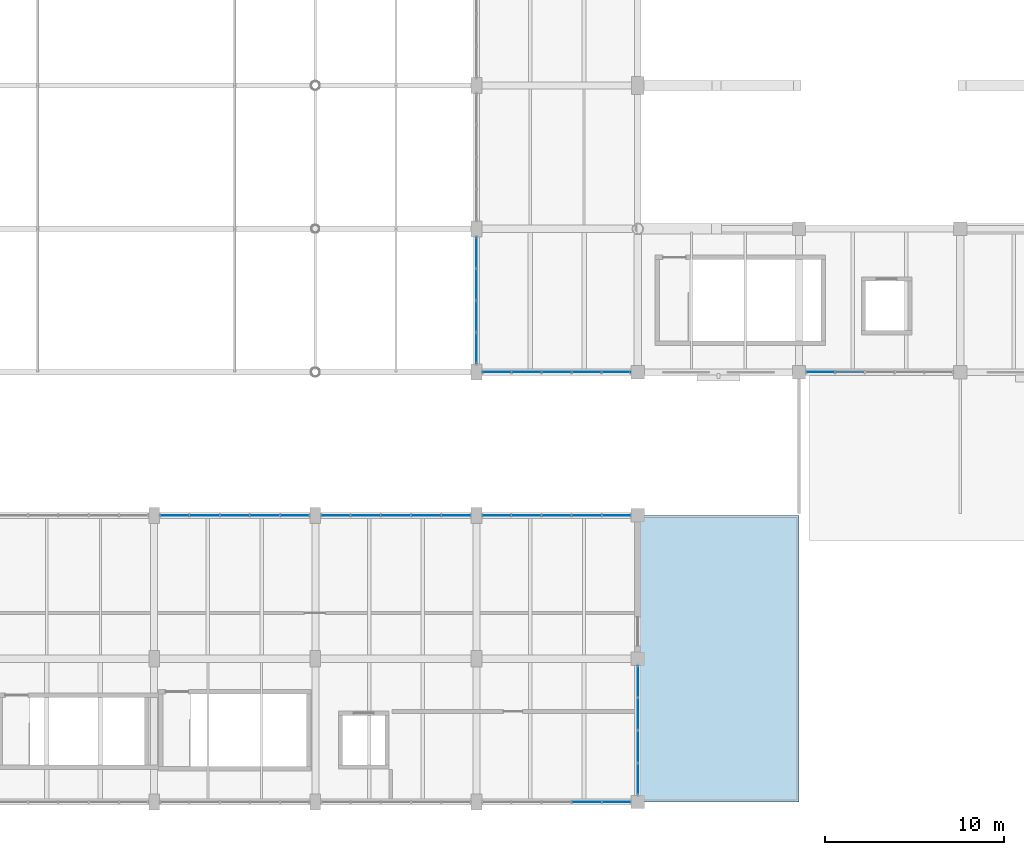
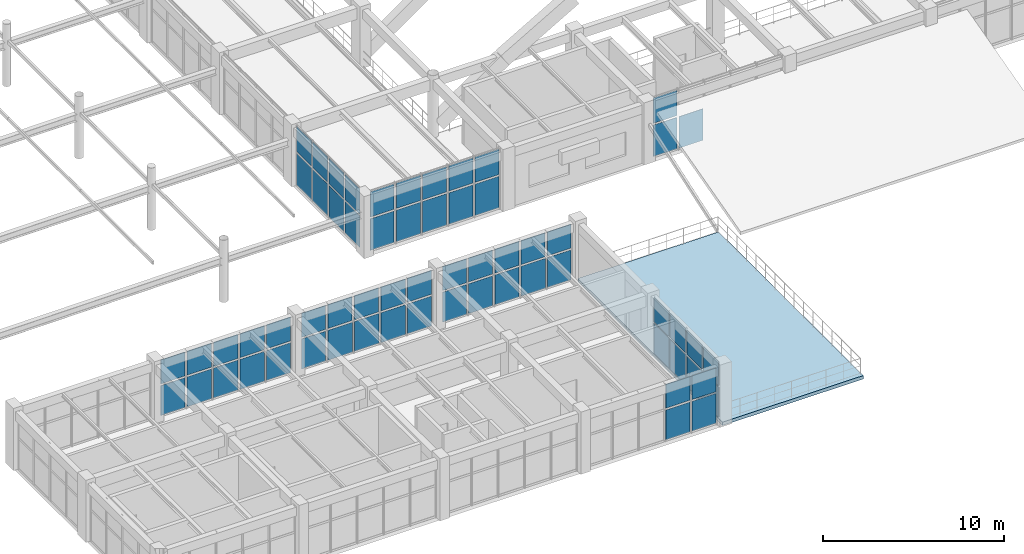
# One storey, part 115 of 148: 63 plates, 1 slab, 8 elements without a shape of their own.
"""IFC4 building model written with IfcOpenShell, lengths in metres."""

import ifcopenshell
import ifcopenshell.guid

model = None  # the IFC model being written
_history = None  # IfcOwnerHistory: only IFC2X3 demands one
_inside = {}  # id of a spatial element -> (the spatial element, [elements in it])
_under = {}  # id of a project, library or spatial element -> (it, [spatial elements below it])
_declared = {}  # id of a project -> (the project, [libraries it declares])
_typed = {}  # id of a type object -> (the type object, [elements of that type])
_made_of = {}  # id of a material, layer set ... -> (it, [elements and type objects made of it])


def new_model(schema):
    """Start an empty IFC model of exactly this schema.

    Asked for "IFC4X3", IfcOpenShell would pick the latest addendum, in which some entities
    have other attributes; the version numbers below select the first issue.
    IFC2X3 requires an IfcOwnerHistory on every rooted entity: one is made here for all.
    """
    global model, _history
    if schema == "IFC4X3":
        model = ifcopenshell.file(schema_version=(4, 3, 0, 0))
    else:
        model = ifcopenshell.file(schema=schema)
    _inside.clear()
    _under.clear()
    _declared.clear()
    _typed.clear()
    _made_of.clear()
    _history = None
    if model.schema == "IFC2X3":
        org = make("IfcOrganization", Name="unknown")
        user = make(
            "IfcPersonAndOrganization",
            ThePerson=make("IfcPerson", FamilyName="unknown"),
            TheOrganization=org,
        )
        app = make(
            "IfcApplication",
            ApplicationDeveloper=org,
            Version="unknown",
            ApplicationFullName="unknown",
            ApplicationIdentifier="unknown",
        )
        _history = make(
            "IfcOwnerHistory",
            OwningUser=user,
            OwningApplication=app,
            ChangeAction="ADDED",
            CreationDate=0,
        )
    return model


def make(cls, **values):
    """One entity of the class cls with the attributes given. An attribute that is None is left unset."""
    return model.create_entity(
        cls, **{name: value for name, value in values.items() if value is not None}
    )


def rooted(cls, **values):
    """An entity with a GlobalId (a new one), such as an element, a storey or a relation."""
    return make(cls, GlobalId=ifcopenshell.guid.new(), OwnerHistory=_history, **values)


def si_unit(unit_type, name, prefix=None):
    """IfcSIUnit, for example si_unit("LENGTHUNIT", "METRE", prefix="MILLI")."""
    return make("IfcSIUnit", UnitType=unit_type, Prefix=prefix, Name=name)


def derived_unit(unit_type, elements):
    """IfcDerivedUnit: a product of units, each with its exponent."""
    return make(
        "IfcDerivedUnit",
        Elements=[
            make("IfcDerivedUnitElement", Unit=unit, Exponent=power)
            for unit, power in elements
        ],
        UnitType=unit_type,
    )


def assignment(units):
    """IfcUnitAssignment: the units of a project."""
    return None if units is None else make("IfcUnitAssignment", Units=units)


def point(xyz):
    """IfcCartesianPoint."""
    return None if xyz is None else make("IfcCartesianPoint", Coordinates=xyz)


def direction(xyz):
    """IfcDirection."""
    return None if xyz is None else make("IfcDirection", DirectionRatios=xyz)


def frame(location, z_axis=None, x_axis=None):
    """IfcAxis2Placement3D, a coordinate frame: its origin and axes. An axis left out is left unset."""
    return make(
        "IfcAxis2Placement3D",
        Location=point(location),
        Axis=direction(z_axis),
        RefDirection=direction(x_axis),
    )


def frame_2d(location, x_axis=None):
    """IfcAxis2Placement2D, a coordinate frame in the plane: its origin and x axis."""
    return make(
        "IfcAxis2Placement2D", Location=point(location), RefDirection=direction(x_axis)
    )


def origin():
    """The frame at (0, 0, 0) with its axes left unset."""
    return frame((0.0, 0.0, 0.0))


def origin_2d():
    """The frame at (0, 0) in the plane with its x axis left unset."""
    return frame_2d((0.0, 0.0))


def place(relative_to, where):
    """IfcLocalPlacement: puts the frame where relative to a parent placement (None: the world)."""
    return make(
        "IfcLocalPlacement", PlacementRelTo=relative_to, RelativePlacement=where
    )


def context(
    kind, dimensions, precision=None, world=None, true_north=None, identifier=None
):
    """IfcGeometricRepresentationContext, for example the 3D "Model" context."""
    return make(
        "IfcGeometricRepresentationContext",
        ContextIdentifier=identifier,
        ContextType=kind,
        CoordinateSpaceDimension=dimensions,
        Precision=precision,
        WorldCoordinateSystem=world,
        TrueNorth=true_north,
    )


def subcontext(parent, identifier, kind, view, scale=None):
    """IfcGeometricRepresentationSubContext, for example "Body" below "Model"."""
    return make(
        "IfcGeometricRepresentationSubContext",
        ContextIdentifier=identifier,
        ContextType=kind,
        ParentContext=parent,
        TargetScale=scale,
        TargetView=view,
    )


def project(units=None, contexts=None):
    """IfcProject with its units and contexts."""
    return rooted(
        "IfcProject",
        Name="project",
        RepresentationContexts=contexts,
        UnitsInContext=assignment(units),
    )


def spatial(cls, under=None, at=None, **own):
    """A site, building, storey or space (cls), placed at a placement, below another one or the project."""
    s = rooted(cls, ObjectPlacement=at, **own)
    if under is not None:
        _under.setdefault(under.id(), (under, []))[1].append(s)
    return s


def polyline(points):
    """IfcPolyline through the points."""
    return make("IfcPolyline", Points=[point(p) for p in points])


def profile(cls, at=None, kind="AREA", **sizes):
    """A parametric profile (cls). Its sizes go by their IFC names, for example OverallWidth=200.0."""
    return make(cls, ProfileType=kind, Position=at, **sizes)


def rectangle(**sizes):
    """IfcRectangleProfileDef."""
    return profile("IfcRectangleProfileDef", **sizes)


def outline(outer, holes=None, kind="AREA"):
    """IfcArbitraryClosedProfileDef: a profile drawn as a closed curve; with holes, ...WithVoids."""
    if holes is None:
        return make("IfcArbitraryClosedProfileDef", ProfileType=kind, OuterCurve=outer)
    return make(
        "IfcArbitraryProfileDefWithVoids",
        ProfileType=kind,
        OuterCurve=outer,
        InnerCurves=holes,
    )


def extrude(swept, where, along, depth):
    """IfcExtrudedAreaSolid: the profile swept, set in the frame where, extruded along a direction by depth."""
    return make(
        "IfcExtrudedAreaSolid",
        SweptArea=swept,
        Position=where,
        ExtrudedDirection=direction(along),
        Depth=depth,
    )


def shape(context_of_items, identifier, shape_type, items):
    """IfcShapeRepresentation: the items that make up one representation, for example the "Body"."""
    return make(
        "IfcShapeRepresentation",
        ContextOfItems=context_of_items,
        RepresentationIdentifier=identifier,
        RepresentationType=shape_type,
        Items=items,
    )


def material(Name=None, Category=None):
    """IfcMaterial."""
    return make("IfcMaterial", Name=Name, Category=Category)


def layer(
    of_material, thickness, ventilated=None, Name=None, Category=None, Priority=None
):
    """IfcMaterialLayer: one layer of a wall or slab, of a material (None: an air gap)."""
    return make(
        "IfcMaterialLayer",
        Material=of_material,
        LayerThickness=thickness,
        IsVentilated=ventilated,
        Name=Name,
        Category=Category,
        Priority=Priority,
    )


def layer_set(layers, Name=None):
    """IfcMaterialLayerSet."""
    return make("IfcMaterialLayerSet", MaterialLayers=layers, LayerSetName=Name)


def made_of(thing, what):
    """Note that an element or type object is made of a material, layer set ...; save() writes the relation."""
    if what is not None:
        _made_of.setdefault(what.id(), (what, []))[1].append(thing)
    return thing


def type_object(cls, material=None, **own):
    """A type object (cls), such as IfcWallType, which elements share."""
    return made_of(rooted(cls, **own), material)


def element(
    cls,
    number,
    at=None,
    inside=None,
    cuts=None,
    type_object=None,
    material=None,
    context=None,
    identifier="Body",
    shape_type=None,
    held_by="IfcProductDefinitionShape",
    body=None,
    shapes=None,
    **own,
):
    """One element of the class cls, such as IfcWall. Its Tag is "e" and its number.

    at: its placement. inside: the storey or other place that contains it. cuts: it is an
    opening in that element (IfcRelVoidsElement). A single representation is given by context,
    identifier, shape_type and body (its items); several are given by shapes. held_by: the class
    of the entity that holds the representations. save() writes the other relations.
    """
    e = rooted(cls, Tag="e%d" % number, ObjectPlacement=at, **own)
    if body is not None:
        shapes = [shape(context, identifier, shape_type, body)]
    if shapes is not None:
        e.Representation = make(held_by, Representations=shapes)
    if inside is not None:
        _inside.setdefault(inside.id(), (inside, []))[1].append(e)
    if cuts is not None:
        rooted(
            "IfcRelVoidsElement", RelatingBuildingElement=cuts, RelatedOpeningElement=e
        )
    if type_object is not None:
        _typed.setdefault(type_object.id(), (type_object, []))[1].append(e)
    return made_of(e, material)


def aggregate(whole, parts):
    """IfcRelAggregates: a whole, such as a stair, and the parts it consists of."""
    return rooted("IfcRelAggregates", RelatingObject=whole, RelatedObjects=parts)


def save(model, path):
    """Write the relations noted so far, then the file.

    IfcRelAggregates (storeys below a building ...), IfcRelContainedInSpatialStructure (elements
    in a storey), IfcRelDefinesByType, IfcRelAssociatesMaterial and IfcRelDeclares: one each for
    every whole, place, type object, material and project.
    """
    for whole, parts in _under.values():
        aggregate(whole, parts)
    for where, things in _inside.values():
        rooted(
            "IfcRelContainedInSpatialStructure",
            RelatedElements=things,
            RelatingStructure=where,
        )
    for kind, things in _typed.values():
        rooted("IfcRelDefinesByType", RelatedObjects=things, RelatingType=kind)
    for what, things in _made_of.values():
        rooted("IfcRelAssociatesMaterial", RelatedObjects=things, RelatingMaterial=what)
    for by, libraries in _declared.values():
        rooted("IfcRelDeclares", RelatingContext=by, RelatedDefinitions=libraries)
    model.write(path)


model = new_model("IFC4")

# Units and contexts
model_context = context("Model", 3, precision=1e-05, world=origin(), true_north=direction((0.0, 1.0)))
body_context = subcontext(model_context, "Body", "Model", "MODEL_VIEW")
ifc_project = project(units=[si_unit("LENGTHUNIT", "METRE"), si_unit("AREAUNIT", "SQUARE_METRE"), si_unit("VOLUMEUNIT", "CUBIC_METRE"), si_unit("PLANEANGLEUNIT", "RADIAN"), si_unit("MASSUNIT", "GRAM", prefix="KILO"), derived_unit("THERMALTRANSMITTANCEUNIT", [(si_unit("MASSUNIT", "GRAM", prefix="KILO"), 1), (si_unit("TIMEUNIT", "SECOND"), -3), (si_unit("THERMODYNAMICTEMPERATUREUNIT", "KELVIN"), -1)])], contexts=[model_context])

# Site, building, storey
site_placement = place(None, origin())
site = spatial("IfcSite", under=ifc_project, at=site_placement, CompositionType="ELEMENT")
building_placement = place(site_placement, origin())
building = spatial("IfcBuilding", under=site, at=building_placement, Name="Zhenchuan Archway Interchange", CompositionType="ELEMENT")
storey_placement = place(building_placement, frame((0.0, 0.0, 10.199951171875)))
storey = spatial("IfcBuildingStorey", under=building, at=storey_placement, Name="L02", CompositionType="ELEMENT", Elevation=10.199951171875)

# Curtain wall, plates
ifc_material_1 = material(Name="Anodised Aluminium", Category="aluminium")
curtain_wall_type_1 = type_object("IfcCurtainWallType", Name="CW_UNIT_2", PredefinedType="NOTDEFINED", material=ifc_material_1)
curtain_wall_1_placement = place(storey_placement, origin())
curtain_wall_1 = element("IfcCurtainWall", 1, at=curtain_wall_1_placement, inside=storey, type_object=curtain_wall_type_1, Name="Unitised curtain wall CW:L02:105", PredefinedType="NOTDEFINED")
ifc_material_2 = material(Name="Double Low-E Insulated Glazing", Category="glass")
ifc_layer_1 = layer(ifc_material_2, 0.028076171875)
ifc_layer_set_1 = layer_set([ifc_layer_1], Name="Double Low-E Insulated Glazing")
plate_type_1 = type_object("IfcPlateType", Name="CW_GLZ_1", PredefinedType="CURTAIN_PANEL", material=ifc_layer_set_1)
plate_1_placement = place(storey_placement, frame((34.80810546875, 0.0, 0.080078125), z_axis=(0.0, 0.0, 1.0), x_axis=(-1.0, 0.0, 0.0)))
plate_1 = element("IfcPlate", 2, at=plate_1_placement, type_object=plate_type_1, Name="CW:L02:105 lower glazing panel 0", PredefinedType="CURTAIN_PANEL", context=body_context, shape_type="SweptSolid", body=[
    extrude(rectangle(XDim=1.517822265625, YDim=0.028076171875, at=origin_2d()), origin(), (0.0, 0.0, 1.0), 2.01611328125),
])
plate_2_placement = place(storey_placement, frame((33.140380859375, 0.0, 0.080078125), z_axis=(0.0, 0.0, 1.0), x_axis=(-1.0, 0.0, 0.0)))
plate_2 = element("IfcPlate", 3, at=plate_2_placement, type_object=plate_type_1, Name="CW:L02:105 lower glazing panel 1", PredefinedType="CURTAIN_PANEL", context=body_context, shape_type="SweptSolid", body=[
    extrude(rectangle(XDim=1.537841796875, YDim=0.028076171875, at=origin_2d()), origin(), (0.0, 0.0, 1.0), 2.01611328125),
])

curtain_wall_type_2 = type_object("IfcCurtainWallType", Name="CW_UNIT_1", PredefinedType="NOTDEFINED", material=ifc_material_1)
curtain_wall_2_placement = place(storey_placement, origin())
curtain_wall_2 = element("IfcCurtainWall", 4, at=curtain_wall_2_placement, inside=storey, type_object=curtain_wall_type_2, Name="Unitised curtain wall CW:L02:112", PredefinedType="NOTDEFINED")
plate_3_placement = place(storey_placement, frame((10.12451171875, 16.0, 0.080078125), z_axis=(0.0, 0.0, 1.0), x_axis=(1.0, 0.0, 0.0)))
plate_3 = element("IfcPlate", 5, at=plate_3_placement, type_object=plate_type_1, Name="CW:L02:112 lower glazing panel 0", PredefinedType="CURTAIN_PANEL", context=body_context, shape_type="SweptSolid", body=[
    extrude(rectangle(XDim=1.53271484375, YDim=0.028076171875, at=origin_2d()), origin(), (0.0, 0.0, 1.0), 2.01611328125),
])
plate_4_placement = place(storey_placement, frame((11.80712890625, 16.0, 0.080078125), z_axis=(0.0, 0.0, 1.0), x_axis=(1.0, 0.0, 0.0)))
plate_4 = element("IfcPlate", 6, at=plate_4_placement, type_object=plate_type_1, Name="CW:L02:112 lower glazing panel 1", PredefinedType="CURTAIN_PANEL", context=body_context, shape_type="SweptSolid", body=[
    extrude(rectangle(XDim=1.552734375, YDim=0.028076171875, at=origin_2d()), origin(), (0.0, 0.0, 1.0), 2.01611328125),
])
plate_5_placement = place(storey_placement, frame((13.5, 16.0, 0.080078125), z_axis=(0.0, 0.0, 1.0), x_axis=(1.0, 0.0, 0.0)))
plate_5 = element("IfcPlate", 7, at=plate_5_placement, type_object=plate_type_1, Name="CW:L02:112 lower glazing panel 2", PredefinedType="CURTAIN_PANEL", context=body_context, shape_type="SweptSolid", body=[
    extrude(rectangle(XDim=1.552734375, YDim=0.028076171875, at=origin_2d()), origin(), (0.0, 0.0, 1.0), 2.01611328125),
])
plate_6_placement = place(storey_placement, frame((15.19287109375, 16.0, 0.080078125), z_axis=(0.0, 0.0, 1.0), x_axis=(1.0, 0.0, 0.0)))
plate_6 = element("IfcPlate", 8, at=plate_6_placement, type_object=plate_type_1, Name="CW:L02:112 lower glazing panel 3", PredefinedType="CURTAIN_PANEL", context=body_context, shape_type="SweptSolid", body=[
    extrude(rectangle(XDim=1.552734375, YDim=0.028076171875, at=origin_2d()), origin(), (0.0, 0.0, 1.0), 2.01611328125),
])
plate_7_placement = place(storey_placement, frame((16.87548828125, 16.0, 0.080078125), z_axis=(0.0, 0.0, 1.0), x_axis=(1.0, 0.0, 0.0)))
plate_7 = element("IfcPlate", 9, at=plate_7_placement, type_object=plate_type_1, Name="CW:L02:112 lower glazing panel 4", PredefinedType="CURTAIN_PANEL", context=body_context, shape_type="SweptSolid", body=[
    extrude(rectangle(XDim=1.53271484375, YDim=0.028076171875, at=origin_2d()), origin(), (0.0, 0.0, 1.0), 2.01611328125),
])

curtain_wall_3_placement = place(storey_placement, origin())
curtain_wall_3 = element("IfcCurtainWall", 10, at=curtain_wall_3_placement, inside=storey, type_object=curtain_wall_type_1, Name="Unitised curtain wall CW:L02:113", PredefinedType="NOTDEFINED")
plate_8_placement = place(storey_placement, frame((19.12451171875, 16.0, 0.080078125), z_axis=(0.0, 0.0, 1.0), x_axis=(1.0, 0.0, 0.0)))
plate_8 = element("IfcPlate", 11, at=plate_8_placement, type_object=plate_type_1, Name="CW:L02:113 lower glazing panel 0", PredefinedType="CURTAIN_PANEL", context=body_context, shape_type="SweptSolid", body=[
    extrude(rectangle(XDim=1.53271484375, YDim=0.028076171875, at=origin_2d()), origin(), (0.0, 0.0, 1.0), 2.01611328125),
])
plate_9_placement = place(storey_placement, frame((20.80712890625, 16.0, 0.080078125), z_axis=(0.0, 0.0, 1.0), x_axis=(1.0, 0.0, 0.0)))
plate_9 = element("IfcPlate", 12, at=plate_9_placement, type_object=plate_type_1, Name="CW:L02:113 lower glazing panel 1", PredefinedType="CURTAIN_PANEL", context=body_context, shape_type="SweptSolid", body=[
    extrude(rectangle(XDim=1.552734375, YDim=0.028076171875, at=origin_2d()), origin(), (0.0, 0.0, 1.0), 2.01611328125),
])
plate_10_placement = place(storey_placement, frame((22.5, 16.0, 0.080078125), z_axis=(0.0, 0.0, 1.0), x_axis=(1.0, 0.0, 0.0)))
plate_10 = element("IfcPlate", 13, at=plate_10_placement, type_object=plate_type_1, Name="CW:L02:113 lower glazing panel 2", PredefinedType="CURTAIN_PANEL", context=body_context, shape_type="SweptSolid", body=[
    extrude(rectangle(XDim=1.552734375, YDim=0.028076171875, at=origin_2d()), origin(), (0.0, 0.0, 1.0), 2.01611328125),
])
plate_11_placement = place(storey_placement, frame((24.19287109375, 16.0, 0.080078125), z_axis=(0.0, 0.0, 1.0), x_axis=(1.0, 0.0, 0.0)))
plate_11 = element("IfcPlate", 14, at=plate_11_placement, type_object=plate_type_1, Name="CW:L02:113 lower glazing panel 3", PredefinedType="CURTAIN_PANEL", context=body_context, shape_type="SweptSolid", body=[
    extrude(rectangle(XDim=1.552734375, YDim=0.028076171875, at=origin_2d()), origin(), (0.0, 0.0, 1.0), 2.01611328125),
])
plate_12_placement = place(storey_placement, frame((25.87548828125, 16.0, 0.080078125), z_axis=(0.0, 0.0, 1.0), x_axis=(1.0, 0.0, 0.0)))
plate_12 = element("IfcPlate", 15, at=plate_12_placement, type_object=plate_type_1, Name="CW:L02:113 lower glazing panel 4", PredefinedType="CURTAIN_PANEL", context=body_context, shape_type="SweptSolid", body=[
    extrude(rectangle(XDim=1.53271484375, YDim=0.028076171875, at=origin_2d()), origin(), (0.0, 0.0, 1.0), 2.01611328125),
])

curtain_wall_type_3 = type_object("IfcCurtainWallType", Name="CW_UNIT_3", PredefinedType="NOTDEFINED", material=ifc_material_1)
curtain_wall_4_placement = place(storey_placement, origin())
curtain_wall_4 = element("IfcCurtainWall", 16, at=curtain_wall_4_placement, inside=storey, type_object=curtain_wall_type_3, Name="Unitised curtain wall CW:L02:114", PredefinedType="NOTDEFINED")
plate_13_placement = place(storey_placement, frame((28.116943359375, 16.0, 0.080078125), z_axis=(0.0, 0.0, 1.0), x_axis=(1.0, 0.0, 0.0)))
plate_13 = element("IfcPlate", 17, at=plate_13_placement, type_object=plate_type_1, Name="CW:L02:114 lower glazing panel 0", PredefinedType="CURTAIN_PANEL", context=body_context, shape_type="SweptSolid", body=[
    extrude(rectangle(XDim=1.517822265625, YDim=0.028076171875, at=origin_2d()), origin(), (0.0, 0.0, 1.0), 2.01611328125),
])
plate_14_placement = place(storey_placement, frame((29.78466796875, 16.0, 0.080078125), z_axis=(0.0, 0.0, 1.0), x_axis=(1.0, 0.0, 0.0)))
plate_14 = element("IfcPlate", 18, at=plate_14_placement, type_object=plate_type_1, Name="CW:L02:114 lower glazing panel 1", PredefinedType="CURTAIN_PANEL", context=body_context, shape_type="SweptSolid", body=[
    extrude(rectangle(XDim=1.537841796875, YDim=0.028076171875, at=origin_2d()), origin(), (0.0, 0.0, 1.0), 2.01611328125),
])
plate_15_placement = place(storey_placement, frame((31.46240234375, 16.0, 0.080078125), z_axis=(0.0, 0.0, 1.0), x_axis=(1.0, 0.0, 0.0)))
plate_15 = element("IfcPlate", 19, at=plate_15_placement, type_object=plate_type_1, Name="CW:L02:114 lower glazing panel 2", PredefinedType="CURTAIN_PANEL", context=body_context, shape_type="SweptSolid", body=[
    extrude(rectangle(XDim=1.537841796875, YDim=0.028076171875, at=origin_2d()), origin(), (0.0, 0.0, 1.0), 2.01611328125),
])
plate_16_placement = place(storey_placement, frame((33.140380859375, 16.0, 0.080078125), z_axis=(0.0, 0.0, 1.0), x_axis=(1.0, 0.0, 0.0)))
plate_16 = element("IfcPlate", 20, at=plate_16_placement, type_object=plate_type_1, Name="CW:L02:114 lower glazing panel 3", PredefinedType="CURTAIN_PANEL", context=body_context, shape_type="SweptSolid", body=[
    extrude(rectangle(XDim=1.537841796875, YDim=0.028076171875, at=origin_2d()), origin(), (0.0, 0.0, 1.0), 2.01611328125),
])
plate_17_placement = place(storey_placement, frame((34.80810546875, 16.0, 0.080078125), z_axis=(0.0, 0.0, 1.0), x_axis=(1.0, 0.0, 0.0)))
plate_17 = element("IfcPlate", 21, at=plate_17_placement, type_object=plate_type_1, Name="CW:L02:114 lower glazing panel 4", PredefinedType="CURTAIN_PANEL", context=body_context, shape_type="SweptSolid", body=[
    extrude(rectangle(XDim=1.517822265625, YDim=0.028076171875, at=origin_2d()), origin(), (0.0, 0.0, 1.0), 2.01611328125),
])

curtain_wall_5_placement = place(storey_placement, origin())
curtain_wall_5 = element("IfcCurtainWall", 22, at=curtain_wall_5_placement, inside=storey, type_object=curtain_wall_type_2, Name="Unitised curtain wall CW:L02:124", PredefinedType="NOTDEFINED")
plate_18_placement = place(storey_placement, frame((47.837158203125, 24.0, 0.080078125), z_axis=(0.0, 0.0, 1.0), x_axis=(-1.0, 0.0, 0.0)))
plate_18 = element("IfcPlate", 23, at=plate_18_placement, type_object=plate_type_1, Name="CW:L02:124 lower glazing panel 3", PredefinedType="CURTAIN_PANEL", context=body_context, shape_type="SweptSolid", body=[
    extrude(rectangle(XDim=1.522705078125, YDim=0.028076171875, at=origin_2d()), origin(), (0.0, 0.0, 1.0), 2.1259765625),
])
plate_19_placement = place(storey_placement, frame((46.184326171875, 24.0, 0.080078125), z_axis=(0.0, 0.0, 1.0), x_axis=(-1.0, 0.0, 0.0)))
plate_19 = element("IfcPlate", 24, at=plate_19_placement, type_object=plate_type_1, Name="CW:L02:124 lower glazing panel 4", PredefinedType="CURTAIN_PANEL", context=body_context, shape_type="SweptSolid", body=[
    extrude(rectangle(XDim=1.502685546875, YDim=0.028076171875, at=origin_2d()), origin(), (0.0, 0.0, 1.0), 2.1259765625),
])

curtain_wall_6_placement = place(storey_placement, origin())
curtain_wall_6 = element("IfcCurtainWall", 25, at=curtain_wall_6_placement, inside=storey, type_object=curtain_wall_type_1, Name="Unitised curtain wall CW:L02:125", PredefinedType="NOTDEFINED")
plate_20_placement = place(storey_placement, frame((34.80810546875, 24.0, 0.080078125), z_axis=(0.0, 0.0, 1.0), x_axis=(-1.0, 0.0, 0.0)))
plate_20 = element("IfcPlate", 26, at=plate_20_placement, type_object=plate_type_1, Name="CW:L02:125 lower glazing panel 0", PredefinedType="CURTAIN_PANEL", context=body_context, shape_type="SweptSolid", body=[
    extrude(rectangle(XDim=1.517822265625, YDim=0.028076171875, at=origin_2d()), origin(), (0.0, 0.0, 1.0), 2.1259765625),
])
plate_21_placement = place(storey_placement, frame((33.140380859375, 24.0, 0.080078125), z_axis=(0.0, 0.0, 1.0), x_axis=(-1.0, 0.0, 0.0)))
plate_21 = element("IfcPlate", 27, at=plate_21_placement, type_object=plate_type_1, Name="CW:L02:125 lower glazing panel 1", PredefinedType="CURTAIN_PANEL", context=body_context, shape_type="SweptSolid", body=[
    extrude(rectangle(XDim=1.537841796875, YDim=0.028076171875, at=origin_2d()), origin(), (0.0, 0.0, 1.0), 2.1259765625),
])
plate_22_placement = place(storey_placement, frame((31.46240234375, 24.0, 0.080078125), z_axis=(0.0, 0.0, 1.0), x_axis=(-1.0, 0.0, 0.0)))
plate_22 = element("IfcPlate", 28, at=plate_22_placement, type_object=plate_type_1, Name="CW:L02:125 lower glazing panel 2", PredefinedType="CURTAIN_PANEL", context=body_context, shape_type="SweptSolid", body=[
    extrude(rectangle(XDim=1.537841796875, YDim=0.028076171875, at=origin_2d()), origin(), (0.0, 0.0, 1.0), 2.1259765625),
])
plate_23_placement = place(storey_placement, frame((29.78466796875, 24.0, 0.080078125), z_axis=(0.0, 0.0, 1.0), x_axis=(-1.0, 0.0, 0.0)))
plate_23 = element("IfcPlate", 29, at=plate_23_placement, type_object=plate_type_1, Name="CW:L02:125 lower glazing panel 3", PredefinedType="CURTAIN_PANEL", context=body_context, shape_type="SweptSolid", body=[
    extrude(rectangle(XDim=1.537841796875, YDim=0.028076171875, at=origin_2d()), origin(), (0.0, 0.0, 1.0), 2.1259765625),
])
plate_24_placement = place(storey_placement, frame((28.116943359375, 24.0, 0.080078125), z_axis=(0.0, 0.0, 1.0), x_axis=(-1.0, 0.0, 0.0)))
plate_24 = element("IfcPlate", 30, at=plate_24_placement, type_object=plate_type_1, Name="CW:L02:125 lower glazing panel 4", PredefinedType="CURTAIN_PANEL", context=body_context, shape_type="SweptSolid", body=[
    extrude(rectangle(XDim=1.517822265625, YDim=0.028076171875, at=origin_2d()), origin(), (0.0, 0.0, 1.0), 2.1259765625),
])

# Plate
ifc_layer_2 = layer(ifc_material_2, 0.02587890625)
ifc_layer_set_2 = layer_set([ifc_layer_2], Name="Double Low-E Insulated Glazing")
plate_type_2 = type_object("IfcPlateType", Name="CW_GLZ_2", PredefinedType="CURTAIN_PANEL", material=ifc_layer_set_2)
plate_25_placement = place(storey_placement, frame((34.80810546875, 0.0, 2.216064453125), z_axis=(0.0, 0.0, 1.0), x_axis=(-1.0, 0.0, 0.0)))
plate_25 = element("IfcPlate", 31, at=plate_25_placement, type_object=plate_type_2, Name="CW:L02:105 upper glazing panel 0", PredefinedType="CURTAIN_PANEL", context=body_context, shape_type="SweptSolid", body=[
    extrude(rectangle(XDim=1.517822265625, YDim=0.02587890625, at=origin_2d()), origin(), (0.0, 0.0, 1.0), 1.6240234375),
])

plate_26_placement = place(storey_placement, frame((33.140380859375, 0.0, 2.216064453125), z_axis=(0.0, 0.0, 1.0), x_axis=(-1.0, 0.0, 0.0)))
plate_26 = element("IfcPlate", 32, at=plate_26_placement, type_object=plate_type_2, Name="CW:L02:105 upper glazing panel 1", PredefinedType="CURTAIN_PANEL", context=body_context, shape_type="SweptSolid", body=[
    extrude(rectangle(XDim=1.537841796875, YDim=0.02587890625, at=origin_2d()), origin(), (0.0, 0.0, 1.0), 1.6240234375),
])

aggregate(curtain_wall_1, [plate_1, plate_25, plate_2, plate_26])

plate_27_placement = place(storey_placement, frame((10.12451171875, 16.0, 2.216064453125), z_axis=(0.0, 0.0, 1.0), x_axis=(1.0, 0.0, 0.0)))
plate_27 = element("IfcPlate", 33, at=plate_27_placement, type_object=plate_type_2, Name="CW:L02:112 upper glazing panel 0", PredefinedType="CURTAIN_PANEL", context=body_context, shape_type="SweptSolid", body=[
    extrude(rectangle(XDim=1.53271484375, YDim=0.02587890625, at=origin_2d()), origin(), (0.0, 0.0, 1.0), 1.6240234375),
])

plate_28_placement = place(storey_placement, frame((11.80712890625, 16.0, 2.216064453125), z_axis=(0.0, 0.0, 1.0), x_axis=(1.0, 0.0, 0.0)))
plate_28 = element("IfcPlate", 34, at=plate_28_placement, type_object=plate_type_2, Name="CW:L02:112 upper glazing panel 1", PredefinedType="CURTAIN_PANEL", context=body_context, shape_type="SweptSolid", body=[
    extrude(rectangle(XDim=1.552734375, YDim=0.02587890625, at=origin_2d()), origin(), (0.0, 0.0, 1.0), 1.6240234375),
])

plate_29_placement = place(storey_placement, frame((13.5, 16.0, 2.216064453125), z_axis=(0.0, 0.0, 1.0), x_axis=(1.0, 0.0, 0.0)))
plate_29 = element("IfcPlate", 35, at=plate_29_placement, type_object=plate_type_2, Name="CW:L02:112 upper glazing panel 2", PredefinedType="CURTAIN_PANEL", context=body_context, shape_type="SweptSolid", body=[
    extrude(rectangle(XDim=1.552734375, YDim=0.02587890625, at=origin_2d()), origin(), (0.0, 0.0, 1.0), 1.6240234375),
])

plate_30_placement = place(storey_placement, frame((15.19287109375, 16.0, 2.216064453125), z_axis=(0.0, 0.0, 1.0), x_axis=(1.0, 0.0, 0.0)))
plate_30 = element("IfcPlate", 36, at=plate_30_placement, type_object=plate_type_2, Name="CW:L02:112 upper glazing panel 3", PredefinedType="CURTAIN_PANEL", context=body_context, shape_type="SweptSolid", body=[
    extrude(rectangle(XDim=1.552734375, YDim=0.02587890625, at=origin_2d()), origin(), (0.0, 0.0, 1.0), 1.6240234375),
])

plate_31_placement = place(storey_placement, frame((16.87548828125, 16.0, 2.216064453125), z_axis=(0.0, 0.0, 1.0), x_axis=(1.0, 0.0, 0.0)))
plate_31 = element("IfcPlate", 37, at=plate_31_placement, type_object=plate_type_2, Name="CW:L02:112 upper glazing panel 4", PredefinedType="CURTAIN_PANEL", context=body_context, shape_type="SweptSolid", body=[
    extrude(rectangle(XDim=1.53271484375, YDim=0.02587890625, at=origin_2d()), origin(), (0.0, 0.0, 1.0), 1.6240234375),
])

aggregate(curtain_wall_2, [plate_3, plate_27, plate_4, plate_28, plate_5, plate_29, plate_6, plate_30, plate_7, plate_31])

plate_32_placement = place(storey_placement, frame((19.12451171875, 16.0, 2.216064453125), z_axis=(0.0, 0.0, 1.0), x_axis=(1.0, 0.0, 0.0)))
plate_32 = element("IfcPlate", 38, at=plate_32_placement, type_object=plate_type_2, Name="CW:L02:113 upper glazing panel 0", PredefinedType="CURTAIN_PANEL", context=body_context, shape_type="SweptSolid", body=[
    extrude(rectangle(XDim=1.53271484375, YDim=0.02587890625, at=origin_2d()), origin(), (0.0, 0.0, 1.0), 1.6240234375),
])

plate_33_placement = place(storey_placement, frame((20.80712890625, 16.0, 2.216064453125), z_axis=(0.0, 0.0, 1.0), x_axis=(1.0, 0.0, 0.0)))
plate_33 = element("IfcPlate", 39, at=plate_33_placement, type_object=plate_type_2, Name="CW:L02:113 upper glazing panel 1", PredefinedType="CURTAIN_PANEL", context=body_context, shape_type="SweptSolid", body=[
    extrude(rectangle(XDim=1.552734375, YDim=0.02587890625, at=origin_2d()), origin(), (0.0, 0.0, 1.0), 1.6240234375),
])

plate_34_placement = place(storey_placement, frame((22.5, 16.0, 2.216064453125), z_axis=(0.0, 0.0, 1.0), x_axis=(1.0, 0.0, 0.0)))
plate_34 = element("IfcPlate", 40, at=plate_34_placement, type_object=plate_type_2, Name="CW:L02:113 upper glazing panel 2", PredefinedType="CURTAIN_PANEL", context=body_context, shape_type="SweptSolid", body=[
    extrude(rectangle(XDim=1.552734375, YDim=0.02587890625, at=origin_2d()), origin(), (0.0, 0.0, 1.0), 1.6240234375),
])

plate_35_placement = place(storey_placement, frame((24.19287109375, 16.0, 2.216064453125), z_axis=(0.0, 0.0, 1.0), x_axis=(1.0, 0.0, 0.0)))
plate_35 = element("IfcPlate", 41, at=plate_35_placement, type_object=plate_type_2, Name="CW:L02:113 upper glazing panel 3", PredefinedType="CURTAIN_PANEL", context=body_context, shape_type="SweptSolid", body=[
    extrude(rectangle(XDim=1.552734375, YDim=0.02587890625, at=origin_2d()), origin(), (0.0, 0.0, 1.0), 1.6240234375),
])

plate_36_placement = place(storey_placement, frame((25.87548828125, 16.0, 2.216064453125), z_axis=(0.0, 0.0, 1.0), x_axis=(1.0, 0.0, 0.0)))
plate_36 = element("IfcPlate", 42, at=plate_36_placement, type_object=plate_type_2, Name="CW:L02:113 upper glazing panel 4", PredefinedType="CURTAIN_PANEL", context=body_context, shape_type="SweptSolid", body=[
    extrude(rectangle(XDim=1.53271484375, YDim=0.02587890625, at=origin_2d()), origin(), (0.0, 0.0, 1.0), 1.6240234375),
])

aggregate(curtain_wall_3, [plate_8, plate_32, plate_9, plate_33, plate_10, plate_34, plate_11, plate_35, plate_12, plate_36])

plate_37_placement = place(storey_placement, frame((28.116943359375, 16.0, 2.216064453125), z_axis=(0.0, 0.0, 1.0), x_axis=(1.0, 0.0, 0.0)))
plate_37 = element("IfcPlate", 43, at=plate_37_placement, type_object=plate_type_2, Name="CW:L02:114 upper glazing panel 0", PredefinedType="CURTAIN_PANEL", context=body_context, shape_type="SweptSolid", body=[
    extrude(rectangle(XDim=1.517822265625, YDim=0.02587890625, at=origin_2d()), origin(), (0.0, 0.0, 1.0), 1.6240234375),
])

plate_38_placement = place(storey_placement, frame((29.78466796875, 16.0, 2.216064453125), z_axis=(0.0, 0.0, 1.0), x_axis=(1.0, 0.0, 0.0)))
plate_38 = element("IfcPlate", 44, at=plate_38_placement, type_object=plate_type_2, Name="CW:L02:114 upper glazing panel 1", PredefinedType="CURTAIN_PANEL", context=body_context, shape_type="SweptSolid", body=[
    extrude(rectangle(XDim=1.537841796875, YDim=0.02587890625, at=origin_2d()), origin(), (0.0, 0.0, 1.0), 1.6240234375),
])

plate_39_placement = place(storey_placement, frame((31.46240234375, 16.0, 2.216064453125), z_axis=(0.0, 0.0, 1.0), x_axis=(1.0, 0.0, 0.0)))
plate_39 = element("IfcPlate", 45, at=plate_39_placement, type_object=plate_type_2, Name="CW:L02:114 upper glazing panel 2", PredefinedType="CURTAIN_PANEL", context=body_context, shape_type="SweptSolid", body=[
    extrude(rectangle(XDim=1.537841796875, YDim=0.02587890625, at=origin_2d()), origin(), (0.0, 0.0, 1.0), 1.6240234375),
])

plate_40_placement = place(storey_placement, frame((33.140380859375, 16.0, 2.216064453125), z_axis=(0.0, 0.0, 1.0), x_axis=(1.0, 0.0, 0.0)))
plate_40 = element("IfcPlate", 46, at=plate_40_placement, type_object=plate_type_2, Name="CW:L02:114 upper glazing panel 3", PredefinedType="CURTAIN_PANEL", context=body_context, shape_type="SweptSolid", body=[
    extrude(rectangle(XDim=1.537841796875, YDim=0.02587890625, at=origin_2d()), origin(), (0.0, 0.0, 1.0), 1.6240234375),
])

plate_41_placement = place(storey_placement, frame((34.80810546875, 16.0, 2.216064453125), z_axis=(0.0, 0.0, 1.0), x_axis=(1.0, 0.0, 0.0)))
plate_41 = element("IfcPlate", 47, at=plate_41_placement, type_object=plate_type_2, Name="CW:L02:114 upper glazing panel 4", PredefinedType="CURTAIN_PANEL", context=body_context, shape_type="SweptSolid", body=[
    extrude(rectangle(XDim=1.517822265625, YDim=0.02587890625, at=origin_2d()), origin(), (0.0, 0.0, 1.0), 1.6240234375),
])

aggregate(curtain_wall_4, [plate_13, plate_37, plate_14, plate_38, plate_15, plate_39, plate_16, plate_40, plate_17, plate_41])

plate_42_placement = place(storey_placement, frame((46.184326171875, 24.0, 2.326171875), z_axis=(0.0, 0.0, 1.0), x_axis=(-1.0, 0.0, 0.0)))
plate_42 = element("IfcPlate", 48, at=plate_42_placement, type_object=plate_type_2, Name="CW:L02:124 upper glazing panel 4", PredefinedType="CURTAIN_PANEL", context=body_context, shape_type="SweptSolid", body=[
    extrude(rectangle(XDim=1.502685546875, YDim=0.02587890625, at=origin_2d()), origin(), (0.0, 0.0, 1.0), 1.714111328125),
])

aggregate(curtain_wall_5, [plate_18, plate_19, plate_42])

plate_43_placement = place(storey_placement, frame((34.80810546875, 24.0, 2.326171875), z_axis=(0.0, 0.0, 1.0), x_axis=(-1.0, 0.0, 0.0)))
plate_43 = element("IfcPlate", 49, at=plate_43_placement, type_object=plate_type_2, Name="CW:L02:125 upper glazing panel 0", PredefinedType="CURTAIN_PANEL", context=body_context, shape_type="SweptSolid", body=[
    extrude(rectangle(XDim=1.517822265625, YDim=0.02587890625, at=origin_2d()), origin(), (0.0, 0.0, 1.0), 1.714111328125),
])

plate_44_placement = place(storey_placement, frame((33.140380859375, 24.0, 2.326171875), z_axis=(0.0, 0.0, 1.0), x_axis=(-1.0, 0.0, 0.0)))
plate_44 = element("IfcPlate", 50, at=plate_44_placement, type_object=plate_type_2, Name="CW:L02:125 upper glazing panel 1", PredefinedType="CURTAIN_PANEL", context=body_context, shape_type="SweptSolid", body=[
    extrude(rectangle(XDim=1.537841796875, YDim=0.02587890625, at=origin_2d()), origin(), (0.0, 0.0, 1.0), 1.714111328125),
])

plate_45_placement = place(storey_placement, frame((31.46240234375, 24.0, 2.326171875), z_axis=(0.0, 0.0, 1.0), x_axis=(-1.0, 0.0, 0.0)))
plate_45 = element("IfcPlate", 51, at=plate_45_placement, type_object=plate_type_2, Name="CW:L02:125 upper glazing panel 2", PredefinedType="CURTAIN_PANEL", context=body_context, shape_type="SweptSolid", body=[
    extrude(rectangle(XDim=1.537841796875, YDim=0.02587890625, at=origin_2d()), origin(), (0.0, 0.0, 1.0), 1.714111328125),
])

plate_46_placement = place(storey_placement, frame((29.78466796875, 24.0, 2.326171875), z_axis=(0.0, 0.0, 1.0), x_axis=(-1.0, 0.0, 0.0)))
plate_46 = element("IfcPlate", 52, at=plate_46_placement, type_object=plate_type_2, Name="CW:L02:125 upper glazing panel 3", PredefinedType="CURTAIN_PANEL", context=body_context, shape_type="SweptSolid", body=[
    extrude(rectangle(XDim=1.537841796875, YDim=0.02587890625, at=origin_2d()), origin(), (0.0, 0.0, 1.0), 1.714111328125),
])

plate_47_placement = place(storey_placement, frame((28.116943359375, 24.0, 2.326171875), z_axis=(0.0, 0.0, 1.0), x_axis=(-1.0, 0.0, 0.0)))
plate_47 = element("IfcPlate", 53, at=plate_47_placement, type_object=plate_type_2, Name="CW:L02:125 upper glazing panel 4", PredefinedType="CURTAIN_PANEL", context=body_context, shape_type="SweptSolid", body=[
    extrude(rectangle(XDim=1.517822265625, YDim=0.02587890625, at=origin_2d()), origin(), (0.0, 0.0, 1.0), 1.714111328125),
])

aggregate(curtain_wall_6, [plate_20, plate_43, plate_21, plate_44, plate_22, plate_45, plate_23, plate_46, plate_24, plate_47])

# Curtain wall, plates
curtain_wall_type_4 = type_object("IfcCurtainWallType", Name="CW_UNIT_4", PredefinedType="NOTDEFINED", material=ifc_material_1)
curtain_wall_7_placement = place(storey_placement, origin())
curtain_wall_7 = element("IfcCurtainWall", 54, at=curtain_wall_7_placement, inside=storey, type_object=curtain_wall_type_4, Name="Unitised curtain wall CW:L02:115", PredefinedType="NOTDEFINED")
ifc_layer_3 = layer(ifc_material_2, 0.030029296875)
ifc_layer_set_3 = layer_set([ifc_layer_3], Name="Double Low-E Insulated Glazing")
plate_type_3 = type_object("IfcPlateType", Name="CW_GLZ_3", PredefinedType="CURTAIN_PANEL", material=ifc_layer_set_3)
plate_48_placement = place(storey_placement, frame((36.0, 6.73291015625, 0.080078125), z_axis=(0.0, 0.0, 1.0), x_axis=(0.0, -1.0, 0.0)))
plate_48 = element("IfcPlate", 55, at=plate_48_placement, type_object=plate_type_3, Name="CW:L02:115 lower glazing panel 0", PredefinedType="CURTAIN_PANEL", context=body_context, shape_type="SweptSolid", body=[
    extrude(rectangle(XDim=1.66845703125, YDim=0.028076171875, at=origin_2d()), origin(), (0.0, 0.0, 1.0), 2.01611328125),
])
plate_49_placement = place(storey_placement, frame((36.0, 4.914306640625, 0.080078125), z_axis=(0.0, 0.0, 1.0), x_axis=(0.0, -1.0, 0.0)))
plate_49 = element("IfcPlate", 56, at=plate_49_placement, type_object=plate_type_3, Name="CW:L02:115 lower glazing panel 1", PredefinedType="CURTAIN_PANEL", context=body_context, shape_type="SweptSolid", body=[
    extrude(rectangle(XDim=1.6884765625, YDim=0.028076171875, at=origin_2d()), origin(), (0.0, 0.0, 1.0), 2.01611328125),
])
plate_50_placement = place(storey_placement, frame((36.0, 3.085693359375, 0.080078125), z_axis=(0.0, 0.0, 1.0), x_axis=(0.0, -1.0, 0.0)))
plate_50 = element("IfcPlate", 57, at=plate_50_placement, type_object=plate_type_3, Name="CW:L02:115 lower glazing panel 2", PredefinedType="CURTAIN_PANEL", context=body_context, shape_type="SweptSolid", body=[
    extrude(rectangle(XDim=1.6884765625, YDim=0.028076171875, at=origin_2d()), origin(), (0.0, 0.0, 1.0), 2.01611328125),
])
plate_51_placement = place(storey_placement, frame((36.0, 1.267333984375, 0.080078125), z_axis=(0.0, 0.0, 1.0), x_axis=(0.0, -1.0, 0.0)))
plate_51 = element("IfcPlate", 58, at=plate_51_placement, type_object=plate_type_3, Name="CW:L02:115 lower glazing panel 3", PredefinedType="CURTAIN_PANEL", context=body_context, shape_type="SweptSolid", body=[
    extrude(rectangle(XDim=1.66845703125, YDim=0.028076171875, at=origin_2d()), origin(), (0.0, 0.0, 1.0), 2.01611328125),
])

curtain_wall_8_placement = place(storey_placement, origin())
curtain_wall_8 = element("IfcCurtainWall", 59, at=curtain_wall_8_placement, inside=storey, type_object=curtain_wall_type_3, Name="Unitised curtain wall CW:L02:126", PredefinedType="NOTDEFINED")
plate_52_placement = place(storey_placement, frame((27.0, 25.323486328125, 0.080078125), z_axis=(0.0, 0.0, 1.0), x_axis=(0.0, 1.0, 0.0)))
plate_52 = element("IfcPlate", 60, at=plate_52_placement, type_object=plate_type_3, Name="CW:L02:126 lower glazing panel 0", PredefinedType="CURTAIN_PANEL", context=body_context, shape_type="SweptSolid", body=[
    extrude(rectangle(XDim=1.631103515625, YDim=0.028076171875, at=origin_2d()), origin(), (0.0, 0.0, 1.0), 2.1259765625),
])
plate_53_placement = place(storey_placement, frame((27.0, 27.1044921875, 0.080078125), z_axis=(0.0, 0.0, 1.0), x_axis=(0.0, 1.0, 0.0)))
plate_53 = element("IfcPlate", 61, at=plate_53_placement, type_object=plate_type_3, Name="CW:L02:126 lower glazing panel 1", PredefinedType="CURTAIN_PANEL", context=body_context, shape_type="SweptSolid", body=[
    extrude(rectangle(XDim=1.65087890625, YDim=0.028076171875, at=origin_2d()), origin(), (0.0, 0.0, 1.0), 2.1259765625),
])
plate_54_placement = place(storey_placement, frame((27.0, 28.8955078125, 0.080078125), z_axis=(0.0, 0.0, 1.0), x_axis=(0.0, 1.0, 0.0)))
plate_54 = element("IfcPlate", 62, at=plate_54_placement, type_object=plate_type_3, Name="CW:L02:126 lower glazing panel 2", PredefinedType="CURTAIN_PANEL", context=body_context, shape_type="SweptSolid", body=[
    extrude(rectangle(XDim=1.65087890625, YDim=0.028076171875, at=origin_2d()), origin(), (0.0, 0.0, 1.0), 2.1259765625),
])
plate_55_placement = place(storey_placement, frame((27.0, 30.676513671875, 0.080078125), z_axis=(0.0, 0.0, 1.0), x_axis=(0.0, 1.0, 0.0)))
plate_55 = element("IfcPlate", 63, at=plate_55_placement, type_object=plate_type_3, Name="CW:L02:126 lower glazing panel 3", PredefinedType="CURTAIN_PANEL", context=body_context, shape_type="SweptSolid", body=[
    extrude(rectangle(XDim=1.631103515625, YDim=0.028076171875, at=origin_2d()), origin(), (0.0, 0.0, 1.0), 2.1259765625),
])

# Plate
ifc_layer_4 = layer(ifc_material_2, 0.02392578125)
ifc_layer_set_4 = layer_set([ifc_layer_4], Name="Double Low-E Insulated Glazing")
plate_type_4 = type_object("IfcPlateType", Name="CW_GLZ_4", PredefinedType="CURTAIN_PANEL", material=ifc_layer_set_4)
plate_56_placement = place(storey_placement, frame((36.0, 6.73291015625, 2.216064453125), z_axis=(0.0, 0.0, 1.0), x_axis=(0.0, -1.0, 0.0)))
plate_56 = element("IfcPlate", 64, at=plate_56_placement, type_object=plate_type_4, Name="CW:L02:115 upper glazing panel 0", PredefinedType="CURTAIN_PANEL", context=body_context, shape_type="SweptSolid", body=[
    extrude(rectangle(XDim=1.66845703125, YDim=0.02587890625, at=origin_2d()), origin(), (0.0, 0.0, 1.0), 1.6240234375),
])

plate_57_placement = place(storey_placement, frame((36.0, 4.914306640625, 2.216064453125), z_axis=(0.0, 0.0, 1.0), x_axis=(0.0, -1.0, 0.0)))
plate_57 = element("IfcPlate", 65, at=plate_57_placement, type_object=plate_type_4, Name="CW:L02:115 upper glazing panel 1", PredefinedType="CURTAIN_PANEL", context=body_context, shape_type="SweptSolid", body=[
    extrude(rectangle(XDim=1.6884765625, YDim=0.02587890625, at=origin_2d()), origin(), (0.0, 0.0, 1.0), 1.6240234375),
])

plate_58_placement = place(storey_placement, frame((36.0, 3.085693359375, 2.216064453125), z_axis=(0.0, 0.0, 1.0), x_axis=(0.0, -1.0, 0.0)))
plate_58 = element("IfcPlate", 66, at=plate_58_placement, type_object=plate_type_4, Name="CW:L02:115 upper glazing panel 2", PredefinedType="CURTAIN_PANEL", context=body_context, shape_type="SweptSolid", body=[
    extrude(rectangle(XDim=1.6884765625, YDim=0.02587890625, at=origin_2d()), origin(), (0.0, 0.0, 1.0), 1.6240234375),
])

plate_59_placement = place(storey_placement, frame((36.0, 1.267333984375, 2.216064453125), z_axis=(0.0, 0.0, 1.0), x_axis=(0.0, -1.0, 0.0)))
plate_59 = element("IfcPlate", 67, at=plate_59_placement, type_object=plate_type_4, Name="CW:L02:115 upper glazing panel 3", PredefinedType="CURTAIN_PANEL", context=body_context, shape_type="SweptSolid", body=[
    extrude(rectangle(XDim=1.66845703125, YDim=0.02587890625, at=origin_2d()), origin(), (0.0, 0.0, 1.0), 1.6240234375),
])

aggregate(curtain_wall_7, [plate_48, plate_56, plate_49, plate_57, plate_50, plate_58, plate_51, plate_59])

plate_60_placement = place(storey_placement, frame((27.0, 25.323486328125, 2.326171875), z_axis=(0.0, 0.0, 1.0), x_axis=(0.0, 1.0, 0.0)))
plate_60 = element("IfcPlate", 68, at=plate_60_placement, type_object=plate_type_4, Name="CW:L02:126 upper glazing panel 0", PredefinedType="CURTAIN_PANEL", context=body_context, shape_type="SweptSolid", body=[
    extrude(rectangle(XDim=1.631103515625, YDim=0.02587890625, at=origin_2d()), origin(), (0.0, 0.0, 1.0), 1.714111328125),
])

plate_61_placement = place(storey_placement, frame((27.0, 27.1044921875, 2.326171875), z_axis=(0.0, 0.0, 1.0), x_axis=(0.0, 1.0, 0.0)))
plate_61 = element("IfcPlate", 69, at=plate_61_placement, type_object=plate_type_4, Name="CW:L02:126 upper glazing panel 1", PredefinedType="CURTAIN_PANEL", context=body_context, shape_type="SweptSolid", body=[
    extrude(rectangle(XDim=1.65087890625, YDim=0.02587890625, at=origin_2d()), origin(), (0.0, 0.0, 1.0), 1.714111328125),
])

plate_62_placement = place(storey_placement, frame((27.0, 28.8955078125, 2.326171875), z_axis=(0.0, 0.0, 1.0), x_axis=(0.0, 1.0, 0.0)))
plate_62 = element("IfcPlate", 70, at=plate_62_placement, type_object=plate_type_4, Name="CW:L02:126 upper glazing panel 2", PredefinedType="CURTAIN_PANEL", context=body_context, shape_type="SweptSolid", body=[
    extrude(rectangle(XDim=1.65087890625, YDim=0.02587890625, at=origin_2d()), origin(), (0.0, 0.0, 1.0), 1.714111328125),
])

plate_63_placement = place(storey_placement, frame((27.0, 30.676513671875, 2.326171875), z_axis=(0.0, 0.0, 1.0), x_axis=(0.0, 1.0, 0.0)))
plate_63 = element("IfcPlate", 71, at=plate_63_placement, type_object=plate_type_4, Name="CW:L02:126 upper glazing panel 3", PredefinedType="CURTAIN_PANEL", context=body_context, shape_type="SweptSolid", body=[
    extrude(rectangle(XDim=1.631103515625, YDim=0.02587890625, at=origin_2d()), origin(), (0.0, 0.0, 1.0), 1.714111328125),
])

aggregate(curtain_wall_8, [plate_52, plate_60, plate_53, plate_61, plate_54, plate_62, plate_55, plate_63])

# Slab
ifc_material_3 = material(Name="Concrete C35", Category="concrete")
ifc_layer_5 = layer(ifc_material_3, 0.22998046875)
ifc_layer_set_5 = layer_set([ifc_layer_5], Name="Concrete C35")
slab_type = type_object("IfcSlabType", Name="SLB_TERR_230", PredefinedType="ROOF", material=ifc_layer_set_5)
slab_placement = place(storey_placement, frame((0.0, 0.0, -0.22998046875)))
element("IfcSlab", 72, at=slab_placement, inside=storey, type_object=slab_type, Name="outdoor terrace slab CYC-TERR", PredefinedType="ROOF", context=body_context, shape_type="SweptSolid", body=[
    extrude(outline(polyline([(45.0, 16.0), (45.0, 0.0), (36.0029296875, 0.0), (36.0029296875, 16.0), (45.0, 16.0)])), origin(), (0.0, 0.0, 1.0), 0.22998046875),
])

save(model, "model.ifc")
